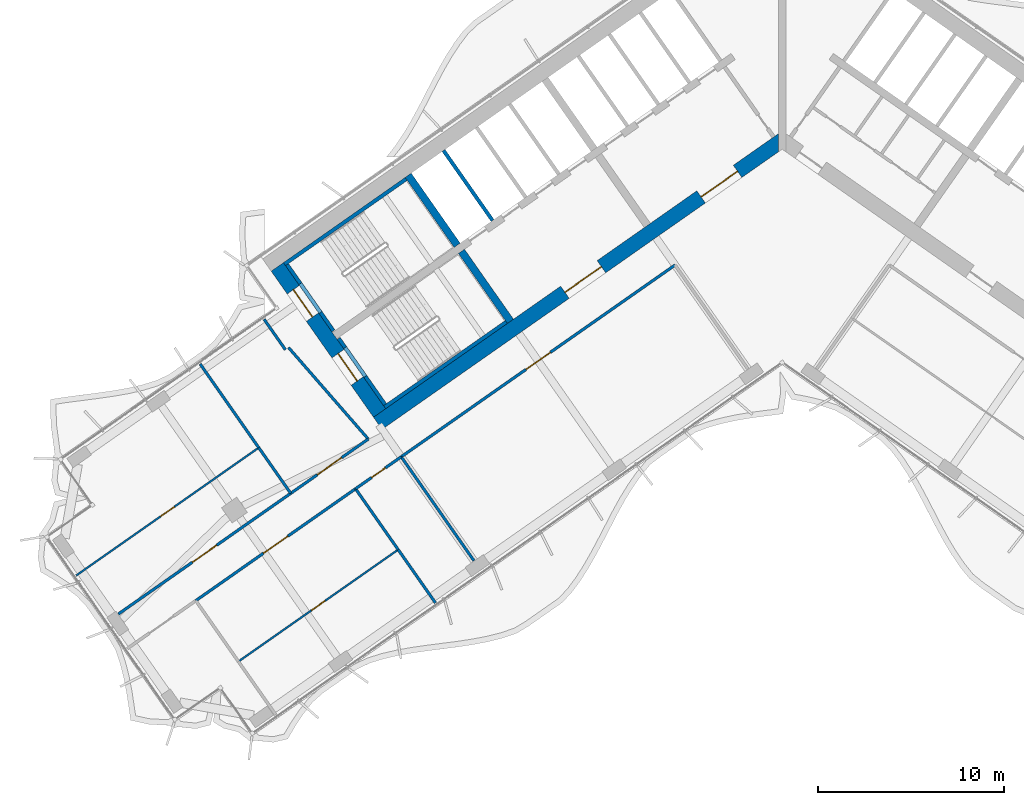
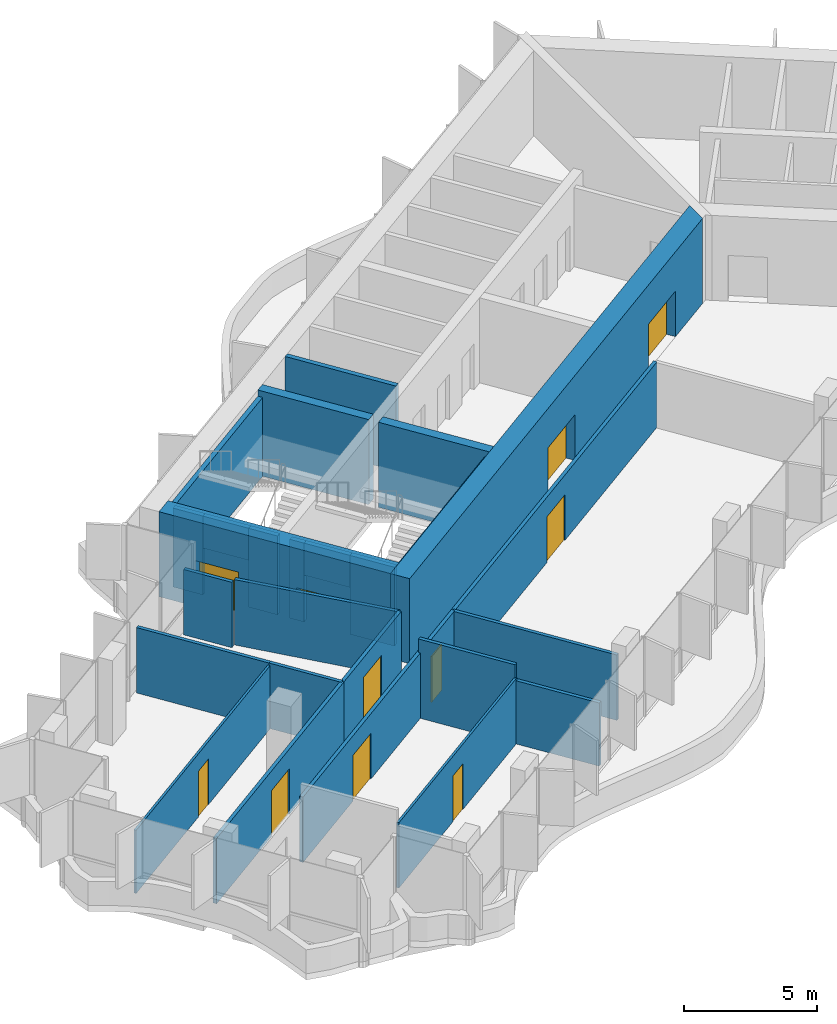
# One storey, part 12 of 22: 27 walls, 11 doors, 11 openings.
"""IFC4 building model written with IfcOpenShell, lengths in metres."""

from ifc_helpers import new_model, si_unit, direction, frame, frame_2d, origin, place, context, subcontext, project, spatial, polyline, rectangle, outline, extrude, material, layer, layer_set, type_object, element, fill, save


model = new_model("IFC4")

# Units and contexts
model_context = context("Model", 3, precision=1e-05, world=origin(), true_north=direction((0.0, 1.0)))
body_context = subcontext(model_context, "Body", "Model", "MODEL_VIEW")
ifc_project = project(units=[si_unit("LENGTHUNIT", "METRE"), si_unit("AREAUNIT", "SQUARE_METRE"), si_unit("VOLUMEUNIT", "CUBIC_METRE"), si_unit("PLANEANGLEUNIT", "RADIAN"), si_unit("MASSUNIT", "GRAM", prefix="KILO")], contexts=[model_context])

# Site, building, storey
site_placement = place(None, origin())
site = spatial("IfcSite", under=ifc_project, at=site_placement, CompositionType="ELEMENT")
building_placement = place(site_placement, origin())
building = spatial("IfcBuilding", under=site, at=building_placement, Name="Tel Ilan Convention Tower", CompositionType="ELEMENT")
storey_placement = place(building_placement, frame((0.0, 0.0, 135.89990234375)))
storey = spatial("IfcBuildingStorey", under=building, at=storey_placement, Name="L30", CompositionType="ELEMENT", Elevation=135.89990234375)

# Walls
ifc_material_1 = material(Name="Concrete C50/60", Category="concrete")
ifc_layer_1 = layer(ifc_material_1, 0.39990234375)
ifc_layer_set_1 = layer_set([ifc_layer_1], Name="Core Shear Wall 400 mm C50/60")
wall_type_1 = type_object("IfcWallType", Name="Core Shear Wall 400 mm C50/60", PredefinedType="SHEAR", material=ifc_layer_set_1)
wall_1_placement = place(storey_placement, frame((-14.6298828125, -10.48828125, 0.0), z_axis=(0.0, 0.0, 1.0), x_axis=(-0.573611936273, 0.819127185829, 0.0)))
element("IfcWall", 1, at=wall_1_placement, inside=storey, type_object=wall_type_1, Name="L30 core wall W-cross2-1", PredefinedType="SHEAR", context=body_context, shape_type="SweptSolid", body=[
    extrude(outline(polyline([(4.60009765625, 0.199951171875), (0.000244140625, 0.2001953125), (0.000244140625, -0.199951171875), (4.60009765625, -0.2001953125), (4.60009765625, 0.199951171875)])), origin(), (0.0, 0.0, 1.0), 3.900146484375),
])
wall_2_placement = place(storey_placement, frame((-17.497802734375, -6.392333984375, 0.0), z_axis=(0.0, 0.0, 1.0), x_axis=(-0.573611936273, 0.819127185829, 0.0)))
element("IfcWall", 2, at=wall_2_placement, inside=storey, type_object=wall_type_1, Name="L30 core wall W-cross2-2", PredefinedType="SHEAR", context=body_context, shape_type="SweptSolid", body=[
    extrude(outline(polyline([(4.599853515625, -0.2001953125), (4.599853515625, 0.199951171875), (0.0, 0.2001953125), (0.0, -0.199951171875), (4.599853515625, -0.2001953125)])), origin(), (0.0, 0.0, 1.0), 3.900146484375),
])

# Wall, openings, doors
ifc_material_2 = material(Name="Concrete C50/60", Category="concrete")
ifc_layer_2 = layer(ifc_material_2, 0.800048828125)
ifc_layer_set_2 = layer_set([ifc_layer_2], Name="Core Shear Wall 800 mm C50/60")
wall_type_2 = type_object("IfcWallType", Name="Core Shear Wall 800 mm C50/60", PredefinedType="SHEAR", material=ifc_layer_set_2)
wall_3_placement = place(storey_placement, frame((0.029296875, -0.7119140625, 0.0), z_axis=(0.0, 0.0, 1.0), x_axis=(-0.819151758019, -0.573576845187, 0.0)))
wall_3 = element("IfcWall", 3, at=wall_3_placement, inside=storey, type_object=wall_type_2, Name="L30 core wall W-front", PredefinedType="SHEAR", context=body_context, shape_type="SweptSolid", body=[
    extrude(outline(polyline([(26.61572265625, 0.39990234375), (0.56005859375, 0.39990234375), (-0.000244140625, -0.39990234375), (26.61572265625, -0.39990234375), (26.61572265625, 0.39990234375)])), origin(), (0.0, 0.0, 1.0), 3.900146484375),
])
opening_1_placement = place(wall_3_placement, frame((2.9658203125, 0.0, 0.0)))
opening_1 = element("IfcOpeningElement", 4, at=opening_1_placement, cuts=wall_3, Name="Opening CD2405", PredefinedType="OPENING", context=body_context, shape_type="SweptSolid", body=[
    extrude(rectangle(XDim=2.39990234375, YDim=2.10009765625, at=frame_2d((1.199951171875, 1.050048828125))), frame((0.0, 0.409912109375, 0.0), z_axis=(0.0, -1.0, 0.0), x_axis=(1.0, 0.0, 0.0)), (0.0, 0.0, 1.0), 0.820068359375),
])
opening_2_placement = place(wall_3_placement, frame((11.915771484375, 0.0, 0.0)))
opening_2 = element("IfcOpeningElement", 5, at=opening_2_placement, cuts=wall_3, Name="Opening CD2406", PredefinedType="OPENING", context=body_context, shape_type="SweptSolid", body=[
    extrude(rectangle(XDim=2.39990234375, YDim=2.10009765625, at=frame_2d((1.199951171875, 1.050048828125))), frame((0.0, 0.409912109375, 0.0), z_axis=(0.0, -1.0, 0.0), x_axis=(1.0, 0.0, 0.0)), (0.0, 0.0, 1.0), 0.820068359375),
])
ifc_material_3 = material(Name="Glazed Aluminium Door Leaf", Category="aluminium")
door_type_1 = type_object("IfcDoorType", Name="Lobby Opening Door 2400 x 2100 FD60S", OperationType="NOTDEFINED", PredefinedType="DOOR", material=ifc_material_3)
door_1_placement = place(opening_1_placement, origin())
door_1 = element("IfcDoor", 6, at=door_1_placement, inside=storey, type_object=door_type_1, Name="Lift Lobby LR1-LR4 opening", OperationType="DOUBLE_DOOR_SINGLE_SWING", OverallHeight=2.10009765625, OverallWidth=2.39990234375, PredefinedType="DOOR", context=body_context, shape_type="SweptSolid", body=[
    extrude(rectangle(XDim=2.39990234375, YDim=2.10009765625, at=frame_2d((1.199951171875, 1.050048828125))), frame((0.0, 0.02490234375, 0.0), z_axis=(0.0, -1.0, 0.0), x_axis=(1.0, 0.0, 0.0)), (0.0, 0.0, 1.0), 0.050048828125),
])
fill(opening_1, door_1)
door_2_placement = place(opening_2_placement, origin())
door_2 = element("IfcDoor", 7, at=door_2_placement, inside=storey, type_object=door_type_1, Name="Lift Lobby LR5-LR8 opening", OperationType="DOUBLE_DOOR_SINGLE_SWING", OverallHeight=2.10009765625, OverallWidth=2.39990234375, PredefinedType="DOOR", context=body_context, shape_type="SweptSolid", body=[
    extrude(rectangle(XDim=2.39990234375, YDim=2.10009765625, at=frame_2d((1.199951171875, 1.050048828125))), frame((0.0, 0.02490234375, 0.0), z_axis=(0.0, -1.0, 0.0), x_axis=(1.0, 0.0, 0.0)), (0.0, 0.0, 1.0), 0.050048828125),
])
fill(opening_2, door_2)

wall_4_placement = place(storey_placement, frame((-21.6748046875, -15.4208984375, 0.0), z_axis=(0.0, 0.0, 1.0), x_axis=(-0.573581815061, 0.819148278049, 0.0)))
wall_4 = element("IfcWall", 8, at=wall_4_placement, inside=storey, type_object=wall_type_2, Name="L30 core wall W-end", PredefinedType="SHEAR", context=body_context, shape_type="SweptSolid", body=[
    extrude(outline(polyline([(0.0, 0.39990234375), (0.0, -0.39990234375), (9.599853515625, -0.400146484375), (9.599853515625, 0.39990234375), (0.0, 0.39990234375)])), origin(), (0.0, 0.0, 1.0), 3.900146484375),
])
opening_3_placement = place(wall_4_placement, frame((6.300048828125, 0.0, 0.0)))
opening_3 = element("IfcOpeningElement", 9, at=opening_3_placement, cuts=wall_4, Name="Opening SD2401", PredefinedType="OPENING", context=body_context, shape_type="SweptSolid", body=[
    extrude(rectangle(XDim=1.800048828125, YDim=2.10009765625, at=frame_2d((0.89990234375, 1.050048828125))), frame((0.0, 0.409912109375, 0.0), z_axis=(0.0, -1.0, 0.0), x_axis=(1.0, 0.0, 0.0)), (0.0, 0.0, 1.0), 0.820068359375),
])
opening_4_placement = place(wall_4_placement, frame((2.10009765625, 0.0, 0.0)))
opening_4 = element("IfcOpeningElement", 10, at=opening_4_placement, cuts=wall_4, Name="Opening SD2402", PredefinedType="OPENING", context=body_context, shape_type="SweptSolid", body=[
    extrude(rectangle(XDim=1.800048828125, YDim=2.10009765625, at=frame_2d((0.89990234375, 1.050048828125))), frame((0.0, 0.409912109375, 0.0), z_axis=(0.0, -1.0, 0.0), x_axis=(1.0, 0.0, 0.0)), (0.0, 0.0, 1.0), 0.820068359375),
])
ifc_material_4 = material(Name="Galvanised Steel Door Leaf", Category="steel")
door_type_2 = type_object("IfcDoorType", Name="Stair Fire Door 1800 x 2100 FD60S", OperationType="NOTDEFINED", PredefinedType="DOOR", material=ifc_material_4)
door_3_placement = place(opening_3_placement, origin())
door_3 = element("IfcDoor", 11, at=door_3_placement, inside=storey, type_object=door_type_2, Name="Stair S1 door", OperationType="DOUBLE_DOOR_SINGLE_SWING", OverallHeight=2.10009765625, OverallWidth=1.800048828125, PredefinedType="DOOR", context=body_context, shape_type="SweptSolid", body=[
    extrude(rectangle(XDim=1.800048828125, YDim=2.10009765625, at=frame_2d((0.89990234375, 1.050048828125))), frame((0.0, 0.02490234375, 0.0), z_axis=(0.0, -1.0, 0.0), x_axis=(1.0, 0.0, 0.0)), (0.0, 0.0, 1.0), 0.050048828125),
])
fill(opening_3, door_3)
door_4_placement = place(opening_4_placement, origin())
door_4 = element("IfcDoor", 12, at=door_4_placement, inside=storey, type_object=door_type_2, Name="Stair S2 door", OperationType="DOUBLE_DOOR_SINGLE_SWING", OverallHeight=2.10009765625, OverallWidth=1.800048828125, PredefinedType="DOOR", context=body_context, shape_type="SweptSolid", body=[
    extrude(rectangle(XDim=1.800048828125, YDim=2.10009765625, at=frame_2d((0.89990234375, 1.050048828125))), frame((0.0, 0.02490234375, 0.0), z_axis=(0.0, -1.0, 0.0), x_axis=(1.0, 0.0, 0.0)), (0.0, 0.0, 1.0), 0.050048828125),
])
fill(opening_4, door_4)

# Wall, opening, door
ifc_material_5 = material(Name="Plasterboard on Steel Studs", Category="steel")
ifc_layer_3 = layer(ifc_material_5, 0.14990234375)
ifc_layer_set_3 = layer_set([ifc_layer_3], Name="Fire-rated Partition 150 EI 60")
wall_type_3 = type_object("IfcWallType", Name="Fire-rated Partition 150 EI 60", PredefinedType="PARTITIONING", material=ifc_layer_set_3)
wall_5_placement = place(storey_placement, frame((-26.459716796875, -19.748779296875, 0.0), z_axis=(0.0, 0.0, 1.0), x_axis=(0.819155431493, 0.573571598892, 0.0)))
wall_5 = element("IfcWall", 13, at=wall_5_placement, inside=storey, type_object=wall_type_3, Name="Partition 004", PredefinedType="PARTITIONING", context=body_context, shape_type="SweptSolid", body=[
    extrude(rectangle(XDim=5.098876953125, YDim=0.14990234375, at=frame_2d((2.54931640625, 0.0))), origin(), (0.0, 0.0, 1.0), 3.0),
])
opening_5_placement = place(wall_5_placement, frame((1.74951171875, 0.0, 0.0)))
opening_5 = element("IfcOpeningElement", 14, at=opening_5_placement, cuts=wall_5, Name="Opening L30-006", PredefinedType="OPENING", context=body_context, shape_type="SweptSolid", body=[
    extrude(rectangle(XDim=1.60009765625, YDim=2.10009765625, at=frame_2d((0.800048828125, 1.050048828125))), frame((0.0, 0.0849609375, 0.0), z_axis=(0.0, -1.0, 0.0), x_axis=(1.0, 0.0, 0.0)), (0.0, 0.0, 1.0), 0.169921875),
])
ifc_material_6 = material(Name="Timber Door Leaf in Steel Frame", Category="steel")
door_type_3 = type_object("IfcDoorType", Name="Tenant Suite Entrance Fire Door 1600x2100", OperationType="NOTDEFINED", PredefinedType="DOOR", material=ifc_material_6)
door_5_placement = place(opening_5_placement, origin())
door_5 = element("IfcDoor", 15, at=door_5_placement, inside=storey, type_object=door_type_3, Name="Door L30-006", OperationType="DOUBLE_DOOR_SINGLE_SWING", OverallHeight=2.10009765625, OverallWidth=1.60009765625, PredefinedType="DOOR", context=body_context, shape_type="SweptSolid", body=[
    extrude(rectangle(XDim=1.60009765625, YDim=2.10009765625, at=frame_2d((0.800048828125, 1.050048828125))), frame((0.0, 0.02490234375, 0.0), z_axis=(0.0, -1.0, 0.0), x_axis=(1.0, 0.0, 0.0)), (0.0, 0.0, 1.0), 0.050048828125),
])
fill(opening_5, door_5)

wall_6_placement = place(storey_placement, frame((-35.739013671875, -26.24658203125, 0.0), z_axis=(0.0, 0.0, 1.0), x_axis=(0.819137779465, 0.573596808092, 0.0)))
wall_6 = element("IfcWall", 16, at=wall_6_placement, inside=storey, type_object=wall_type_3, Name="Partition 005", PredefinedType="PARTITIONING", context=body_context, shape_type="SweptSolid", body=[
    extrude(rectangle(XDim=11.33203125, YDim=0.14990234375, at=frame_2d((5.666015625, 0.0))), origin(), (0.0, 0.0, 1.0), 3.0),
])
opening_6_placement = place(wall_6_placement, frame((4.865966796875, 0.0, 0.0)))
opening_6 = element("IfcOpeningElement", 17, at=opening_6_placement, cuts=wall_6, Name="Opening L30-007", PredefinedType="OPENING", context=body_context, shape_type="SweptSolid", body=[
    extrude(rectangle(XDim=1.60009765625, YDim=2.10009765625, at=frame_2d((0.800048828125, 1.050048828125))), frame((0.0, 0.0849609375, 0.0), z_axis=(0.0, -1.0, 0.0), x_axis=(1.0, 0.0, 0.0)), (0.0, 0.0, 1.0), 0.169921875),
])
door_6_placement = place(opening_6_placement, origin())
door_6 = element("IfcDoor", 18, at=door_6_placement, inside=storey, type_object=door_type_3, Name="Door L30-007", OperationType="DOUBLE_DOOR_SINGLE_SWING", OverallHeight=2.10009765625, OverallWidth=1.60009765625, PredefinedType="DOOR", context=body_context, shape_type="SweptSolid", body=[
    extrude(rectangle(XDim=1.60009765625, YDim=2.10009765625, at=frame_2d((0.800048828125, 1.050048828125))), frame((0.0, 0.02490234375, 0.0), z_axis=(0.0, -1.0, 0.0), x_axis=(1.0, 0.0, 0.0)), (0.0, 0.0, 1.0), 0.050048828125),
])
fill(opening_6, door_6)

wall_7_placement = place(storey_placement, frame((-5.766357421875, -7.455810546875, 0.0), z_axis=(0.0, 0.0, 1.0), x_axis=(-0.819153544995, -0.573574293115, 0.0)))
wall_7 = element("IfcWall", 19, at=wall_7_placement, inside=storey, type_object=wall_type_3, Name="Partition 006", PredefinedType="PARTITIONING", context=body_context, shape_type="SweptSolid", body=[
    extrude(rectangle(XDim=18.001953125, YDim=0.14990234375, at=frame_2d((9.0009765625, 0.0))), origin(), (0.0, 0.0, 1.0), 3.0),
])
opening_7_placement = place(wall_7_placement, frame((8.200927734375, 0.0, 0.0)))
opening_7 = element("IfcOpeningElement", 20, at=opening_7_placement, cuts=wall_7, Name="Opening L30-001", PredefinedType="OPENING", context=body_context, shape_type="SweptSolid", body=[
    extrude(rectangle(XDim=1.60009765625, YDim=2.10009765625, at=frame_2d((0.800048828125, 1.050048828125))), frame((0.0, 0.0849609375, 0.0), z_axis=(0.0, -1.0, 0.0), x_axis=(1.0, 0.0, 0.0)), (0.0, 0.0, 1.0), 0.169921875),
])
door_7_placement = place(opening_7_placement, origin())
door_7 = element("IfcDoor", 21, at=door_7_placement, inside=storey, type_object=door_type_3, Name="Door L30-001", OperationType="DOUBLE_DOOR_SINGLE_SWING", OverallHeight=2.10009765625, OverallWidth=1.60009765625, PredefinedType="DOOR", context=body_context, shape_type="SweptSolid", body=[
    extrude(rectangle(XDim=1.60009765625, YDim=2.10009765625, at=frame_2d((0.800048828125, 1.050048828125))), frame((0.0, 0.02490234375, 0.0), z_axis=(0.0, -1.0, 0.0), x_axis=(1.0, 0.0, 0.0)), (0.0, 0.0, 1.0), 0.050048828125),
])
fill(opening_7, door_7)

wall_8_placement = place(storey_placement, frame((-20.509521484375, -17.779052734375, 0.0), z_axis=(0.0, 0.0, 1.0), x_axis=(-0.819128818764, -0.573609604409, 0.0)))
wall_8 = element("IfcWall", 22, at=wall_8_placement, inside=storey, type_object=wall_type_3, Name="Partition 007", PredefinedType="PARTITIONING", context=body_context, shape_type="SweptSolid", body=[
    extrude(rectangle(XDim=3.004150390625, YDim=0.14990234375, at=frame_2d((1.501953125, 0.0))), origin(), (0.0, 0.0, 1.0), 3.0),
])
opening_8_placement = place(wall_8_placement, frame((1.052001953125, 0.0, 0.0)))
opening_8 = element("IfcOpeningElement", 23, at=opening_8_placement, cuts=wall_8, Name="Opening L30-002", PredefinedType="OPENING", context=body_context, shape_type="SweptSolid", body=[
    extrude(rectangle(XDim=0.89990234375, YDim=2.10009765625, at=frame_2d((0.449951171875, 1.050048828125))), frame((0.0, 0.0849609375, 0.0), z_axis=(0.0, -1.0, 0.0), x_axis=(1.0, 0.0, 0.0)), (0.0, 0.0, 1.0), 0.169921875),
])
ifc_material_7 = material(Name="Timber Door Leaf in Steel Frame", Category="steel")
door_type_4 = type_object("IfcDoorType", Name="Room Fire Door 900x2100", OperationType="NOTDEFINED", PredefinedType="DOOR", material=ifc_material_7)
door_8_placement = place(opening_8_placement, origin())
door_8 = element("IfcDoor", 24, at=door_8_placement, inside=storey, type_object=door_type_4, Name="Door L30-002", OperationType="SINGLE_SWING_LEFT", OverallHeight=2.10009765625, OverallWidth=0.89990234375, PredefinedType="DOOR", context=body_context, shape_type="SweptSolid", body=[
    extrude(rectangle(XDim=0.89990234375, YDim=2.10009765625, at=frame_2d((0.449951171875, 1.050048828125))), frame((0.0, 0.02490234375, 0.0), z_axis=(0.0, -1.0, 0.0), x_axis=(1.0, 0.0, 0.0)), (0.0, 0.0, 1.0), 0.050048828125),
])
fill(opening_8, door_8)

wall_9_placement = place(storey_placement, frame((-22.966796875, -19.499755859375, 0.0), z_axis=(0.0, 0.0, 1.0), x_axis=(-0.81915329441, -0.573574650989, 0.0)))
wall_9 = element("IfcWall", 25, at=wall_9_placement, inside=storey, type_object=wall_type_3, Name="Partition 008", PredefinedType="PARTITIONING", context=body_context, shape_type="SweptSolid", body=[
    extrude(rectangle(XDim=10.504150390625, YDim=0.14990234375, at=frame_2d((5.251953125, 0.0))), origin(), (0.0, 0.0, 1.0), 3.0),
])
opening_9_placement = place(wall_9_placement, frame((4.451904296875, 0.0, 0.0)))
opening_9 = element("IfcOpeningElement", 26, at=opening_9_placement, cuts=wall_9, Name="Opening L30-003", PredefinedType="OPENING", context=body_context, shape_type="SweptSolid", body=[
    extrude(rectangle(XDim=1.60009765625, YDim=2.10009765625, at=frame_2d((0.800048828125, 1.050048828125))), frame((0.0, 0.0849609375, 0.0), z_axis=(0.0, -1.0, 0.0), x_axis=(1.0, 0.0, 0.0)), (0.0, 0.0, 1.0), 0.169921875),
])
door_9_placement = place(opening_9_placement, origin())
door_9 = element("IfcDoor", 27, at=door_9_placement, inside=storey, type_object=door_type_3, Name="Door L30-003", OperationType="DOUBLE_DOOR_SINGLE_SWING", OverallHeight=2.10009765625, OverallWidth=1.60009765625, PredefinedType="DOOR", context=body_context, shape_type="SweptSolid", body=[
    extrude(rectangle(XDim=1.60009765625, YDim=2.10009765625, at=frame_2d((0.800048828125, 1.050048828125))), frame((0.0, 0.02490234375, 0.0), z_axis=(0.0, -1.0, 0.0), x_axis=(1.0, 0.0, 0.0)), (0.0, 0.0, 1.0), 0.050048828125),
])
fill(opening_9, door_9)

# Walls
wall_10_placement = place(storey_placement, frame((-26.74609375, -12.013671875, 0.0), z_axis=(0.0, 0.0, 1.0), x_axis=(-0.573568836472, 0.819157365729, 0.0)))
element("IfcWall", 28, at=wall_10_placement, inside=storey, type_object=wall_type_3, Name="Partition 030", PredefinedType="PARTITIONING", context=body_context, shape_type="SweptSolid", body=[
    extrude(rectangle(XDim=2.000244140625, YDim=0.14990234375, at=frame_2d((1.0, 0.0))), origin(), (0.0, 0.0, 1.0), 3.0),
])
wall_11_placement = place(storey_placement, frame((-22.28369140625, -16.826416015625, 0.0), z_axis=(0.0, 0.0, 1.0), x_axis=(-0.656758142177, 0.754101281449, 0.0)))
element("IfcWall", 29, at=wall_11_placement, inside=storey, type_object=wall_type_3, Name="Partition 031", PredefinedType="PARTITIONING", context=body_context, shape_type="SweptSolid", body=[
    extrude(rectangle(XDim=6.53857421875, YDim=0.14990234375, at=frame_2d((3.269287109375, 0.0))), origin(), (0.0, 0.0, 1.0), 3.0),
])
wall_12_placement = place(storey_placement, frame((-28.1787109375, -17.29052734375, 0.0), z_axis=(0.0, 0.0, 1.0), x_axis=(-0.573554680091, 0.819167277756, 0.0)))
element("IfcWall", 30, at=wall_12_placement, inside=storey, type_object=wall_type_3, Name="Partition 032", PredefinedType="PARTITIONING", context=body_context, shape_type="SweptSolid", body=[
    extrude(rectangle(XDim=5.500732421875, YDim=0.14990234375, at=frame_2d((2.75048828125, 0.0))), origin(), (0.0, 0.0, 1.0), 3.0),
])
wall_13_placement = place(storey_placement, frame((-26.45849609375, -19.747314453125, 0.0), z_axis=(0.0, 0.0, 1.0), x_axis=(-0.57356603932, 0.81915932427, 0.0)))
element("IfcWall", 31, at=wall_13_placement, inside=storey, type_object=wall_type_3, Name="Partition 033", PredefinedType="PARTITIONING", context=body_context, shape_type="SweptSolid", body=[
    extrude(rectangle(XDim=3.002197265625, YDim=0.14990234375, at=frame_2d((1.5009765625, 0.0))), origin(), (0.0, 0.0, 1.0), 3.0),
])
wall_14_placement = place(storey_placement, frame((-16.593505859375, -23.375, 0.0), z_axis=(0.0, 0.0, 1.0), x_axis=(-0.573577493031, 0.819151304393, 0.0)))
element("IfcWall", 32, at=wall_14_placement, inside=storey, type_object=wall_type_3, Name="Partition 035", PredefinedType="PARTITIONING", context=body_context, shape_type="SweptSolid", body=[
    extrude(rectangle(XDim=6.829833984375, YDim=0.14990234375, at=frame_2d((3.4150390625, 0.0))), origin(), (0.0, 0.0, 1.0), 3.0),
])
wall_15_placement = place(storey_placement, frame((-18.666748046875, -25.64453125, 0.0), z_axis=(0.0, 0.0, 1.0), x_axis=(-0.573560622794, 0.819163116834, 0.0)))
element("IfcWall", 33, at=wall_15_placement, inside=storey, type_object=wall_type_3, Name="Partition 036", PredefinedType="PARTITIONING", context=body_context, shape_type="SweptSolid", body=[
    extrude(rectangle(XDim=3.5009765625, YDim=0.14990234375, at=frame_2d((1.75048828125, 0.0))), origin(), (0.0, 0.0, 1.0), 2.900146484375),
])
wall_16_placement = place(storey_placement, frame((-20.673095703125, -22.779296875, 0.0), z_axis=(0.0, 0.0, 1.0), x_axis=(-0.573560601885, 0.819163131473, 0.0)))
element("IfcWall", 34, at=wall_16_placement, inside=storey, type_object=wall_type_3, Name="Partition 037", PredefinedType="PARTITIONING", context=body_context, shape_type="SweptSolid", body=[
    extrude(rectangle(XDim=4.001953125, YDim=0.14990234375, at=frame_2d((2.0009765625, 0.0))), origin(), (0.0, 0.0, 1.0), 3.6201171875),
])
ifc_material_8 = material(Name="Concrete C30/37", Category="concrete")
ifc_layer_4 = layer(ifc_material_8, 0.199951171875)
ifc_layer_set_4 = layer_set([ifc_layer_4], Name="Lift Shaft Wall 200 mm C30/37")
wall_type_4 = type_object("IfcWallType", Name="Lift Shaft Wall 200 mm C30/37", PredefinedType="SOLIDWALL", material=ifc_layer_set_4)
wall_17_placement = place(storey_placement, frame((-15.593505859375, -5.058837890625, 0.0), z_axis=(0.0, 0.0, 1.0), x_axis=(-0.573540709186, 0.819177059558, 0.0)))
element("IfcWall", 35, at=wall_17_placement, inside=storey, type_object=wall_type_4, Name="L30 core wall bank-W2-p2", PredefinedType="SOLIDWALL", context=body_context, shape_type="SweptSolid", body=[
    extrude(rectangle(XDim=4.599853515625, YDim=0.199951171875, at=frame_2d((2.2998046875, 0.0))), origin(), (0.0, 0.0, 1.0), 3.900146484375),
])

# Wall, opening, door
ifc_material_9 = material(Name="Plasterboard on Steel Studs", Category="steel")
ifc_layer_5 = layer(ifc_material_9, 0.10009765625)
ifc_layer_set_5 = layer_set([ifc_layer_5], Name="Plasterboard Partition 100")
wall_type_5 = type_object("IfcWallType", Name="Plasterboard Partition 100", PredefinedType="PARTITIONING", material=ifc_layer_set_5)
wall_18_placement = place(storey_placement, frame((-38.009521484375, -24.171875, 0.0), z_axis=(0.0, 0.0, 1.0), x_axis=(0.819146845232, 0.573583861302, 0.0)))
wall_18 = element("IfcWall", 36, at=wall_18_placement, inside=storey, type_object=wall_type_5, Name="Partition 034", PredefinedType="PARTITIONING", context=body_context, shape_type="SweptSolid", body=[
    extrude(rectangle(XDim=12.0, YDim=0.10009765625, at=frame_2d((6.0, 0.0))), origin(), (0.0, 0.0, 1.0), 2.900146484375),
])
opening_10_placement = place(wall_18_placement, frame((5.550048828125, 0.0, 0.0)))
opening_10 = element("IfcOpeningElement", 37, at=opening_10_placement, cuts=wall_18, Name="Opening L30-008", PredefinedType="OPENING", context=body_context, shape_type="SweptSolid", body=[
    extrude(rectangle(XDim=0.89990234375, YDim=2.10009765625, at=frame_2d((0.449951171875, 1.050048828125))), frame((0.0, 0.06005859375, 0.0), z_axis=(0.0, -1.0, 0.0), x_axis=(1.0, 0.0, 0.0)), (0.0, 0.0, 1.0), 0.1201171875),
])
ifc_material_10 = material(Name="Timber Door Leaf in Steel Frame", Category="steel")
door_type_5 = type_object("IfcDoorType", Name="Room Timber Door 900x2100", OperationType="NOTDEFINED", PredefinedType="DOOR", material=ifc_material_10)
door_10_placement = place(opening_10_placement, origin())
door_10 = element("IfcDoor", 38, at=door_10_placement, inside=storey, type_object=door_type_5, Name="Door L30-008", OperationType="SINGLE_SWING_RIGHT", OverallHeight=2.10009765625, OverallWidth=0.89990234375, PredefinedType="DOOR", context=body_context, shape_type="SweptSolid", body=[
    extrude(rectangle(XDim=0.89990234375, YDim=2.10009765625, at=frame_2d((0.449951171875, 1.050048828125))), frame((0.0, 0.02490234375, 0.0), z_axis=(0.0, -1.0, 0.0), x_axis=(1.0, 0.0, 0.0)), (0.0, 0.0, 1.0), 0.050048828125),
])
fill(opening_10, door_10)

wall_19_placement = place(storey_placement, frame((-20.673583984375, -22.7783203125, 0.0), z_axis=(0.0, 0.0, 1.0), x_axis=(-0.819163097304, -0.573560650686, 0.0)))
wall_19 = element("IfcWall", 39, at=wall_19_placement, inside=storey, type_object=wall_type_5, Name="Partition 038", PredefinedType="PARTITIONING", context=body_context, shape_type="SweptSolid", body=[
    extrude(rectangle(XDim=10.500244140625, YDim=0.10009765625, at=frame_2d((5.25, 0.0))), origin(), (0.0, 0.0, 1.0), 3.0),
])
opening_11_placement = place(wall_19_placement, frame((4.800048828125, 0.0, 0.0)))
opening_11 = element("IfcOpeningElement", 40, at=opening_11_placement, cuts=wall_19, Name="Opening L30-004", PredefinedType="OPENING", context=body_context, shape_type="SweptSolid", body=[
    extrude(rectangle(XDim=0.89990234375, YDim=2.10009765625, at=frame_2d((0.449951171875, 1.050048828125))), frame((0.0, 0.06005859375, 0.0), z_axis=(0.0, -1.0, 0.0), x_axis=(1.0, 0.0, 0.0)), (0.0, 0.0, 1.0), 0.1201171875),
])
door_11_placement = place(opening_11_placement, origin())
door_11 = element("IfcDoor", 41, at=door_11_placement, inside=storey, type_object=door_type_5, Name="Door L30-004", OperationType="SINGLE_SWING_LEFT", OverallHeight=2.10009765625, OverallWidth=0.89990234375, PredefinedType="DOOR", context=body_context, shape_type="SweptSolid", body=[
    extrude(rectangle(XDim=0.89990234375, YDim=2.10009765625, at=frame_2d((0.449951171875, 1.050048828125))), frame((0.0, 0.02490234375, 0.0), z_axis=(0.0, -1.0, 0.0), x_axis=(1.0, 0.0, 0.0)), (0.0, 0.0, 1.0), 0.050048828125),
])
fill(opening_11, door_11)

# Walls
ifc_material_11 = material(Name="Concrete C30/37", Category="concrete")
ifc_layer_6 = layer(ifc_material_11, 0.199951171875)
ifc_layer_set_6 = layer_set([ifc_layer_6], Name="Stair and Shaft Lining Wall 200 mm C30/37")
wall_type_6 = type_object("IfcWallType", Name="Stair and Shaft Lining Wall 200 mm C30/37", PredefinedType="SOLIDWALL", material=ifc_layer_set_6)
wall_20_placement = place(storey_placement, frame((-20.242919921875, -2.821044921875, 0.0), z_axis=(0.0, 0.0, 1.0), x_axis=(-0.819141584393, -0.57359137434, 0.0)))
element("IfcWall", 42, at=wall_20_placement, inside=storey, type_object=wall_type_6, Name="L30 core wall lining-S1-t1", PredefinedType="SOLIDWALL", context=body_context, shape_type="SweptSolid", body=[
    extrude(rectangle(XDim=7.999755859375, YDim=0.199951171875, at=frame_2d((4.0, 0.0))), origin(), (0.0, 0.0, 1.0), 3.6201171875),
])
wall_21_placement = place(storey_placement, frame((-24.16162109375, -10.99755859375, 0.0), z_axis=(0.0, 0.0, 1.0), x_axis=(-0.573612502218, 0.819126789514, 0.0)))
element("IfcWall", 43, at=wall_21_placement, inside=storey, type_object=wall_type_6, Name="L30 core wall lining-S1-u1-0", PredefinedType="SOLIDWALL", context=body_context, shape_type="SweptSolid", body=[
    extrude(rectangle(XDim=1.2001953125, YDim=0.199951171875, at=frame_2d((0.60009765625, 0.0))), origin(), (0.0, 0.0, 1.0), 3.6201171875),
])
wall_22_placement = place(storey_placement, frame((-25.939697265625, -8.4580078125, 0.0), z_axis=(0.0, 0.0, 1.0), x_axis=(-0.573619628835, 0.819121798889, 0.0)))
element("IfcWall", 44, at=wall_22_placement, inside=storey, type_object=wall_type_6, Name="L30 core wall lining-S1-u1-1", PredefinedType="SOLIDWALL", context=body_context, shape_type="SweptSolid", body=[
    extrude(rectangle(XDim=1.25, YDim=0.199951171875, at=frame_2d((0.625, 0.0))), origin(), (0.0, 0.0, 1.0), 3.6201171875),
])
wall_23_placement = place(storey_placement, frame((-24.85009765625, -10.014404296875, 2.150146484375), z_axis=(0.0, 0.0, 1.0), x_axis=(-0.573505465124, 0.819201734296, 0.0)))
element("IfcWall", 45, at=wall_23_placement, inside=storey, type_object=wall_type_6, Name="L30 core wall lining-S1-u1-lintel", PredefinedType="SOLIDWALL", context=body_context, shape_type="SweptSolid", body=[
    extrude(rectangle(XDim=1.89990234375, YDim=0.199951171875, at=frame_2d((0.949951171875, 0.0))), origin(), (0.0, 0.0, 1.0), 1.469970703125),
])
wall_24_placement = place(storey_placement, frame((-14.851318359375, -10.52099609375, 0.0), z_axis=(0.0, 0.0, 1.0), x_axis=(-0.819141584393, -0.57359137434, 0.0)))
element("IfcWall", 46, at=wall_24_placement, inside=storey, type_object=wall_type_6, Name="L30 core wall lining-S2-t0", PredefinedType="SOLIDWALL", context=body_context, shape_type="SweptSolid", body=[
    extrude(rectangle(XDim=7.999755859375, YDim=0.199951171875, at=frame_2d((4.0, 0.0))), origin(), (0.0, 0.0, 1.0), 3.6201171875),
])
wall_25_placement = place(storey_placement, frame((-21.3798828125, -14.97021484375, 0.0), z_axis=(0.0, 0.0, 1.0), x_axis=(-0.573559770908, 0.819163713305, 0.0)))
element("IfcWall", 47, at=wall_25_placement, inside=storey, type_object=wall_type_6, Name="L30 core wall lining-S2-u1-0", PredefinedType="SOLIDWALL", context=body_context, shape_type="SweptSolid", body=[
    extrude(rectangle(XDim=1.849853515625, YDim=0.199951171875, at=frame_2d((0.9248046875, 0.0))), origin(), (0.0, 0.0, 1.0), 3.6201171875),
])
wall_26_placement = place(storey_placement, frame((-23.53076171875, -11.8984375, 0.0), z_axis=(0.0, 0.0, 1.0), x_axis=(-0.573708088123, 0.819059844958, 0.0)))
element("IfcWall", 48, at=wall_26_placement, inside=storey, type_object=wall_type_6, Name="L30 core wall lining-S2-u1-1", PredefinedType="SOLIDWALL", context=body_context, shape_type="SweptSolid", body=[
    extrude(rectangle(XDim=0.60009765625, YDim=0.199951171875, at=frame_2d((0.300048828125, 0.0))), origin(), (0.0, 0.0, 1.0), 3.6201171875),
])
wall_27_placement = place(storey_placement, frame((-22.44091796875, -13.454833984375, 2.150146484375), z_axis=(0.0, 0.0, 1.0), x_axis=(-0.573591692345, 0.819141361715, 0.0)))
element("IfcWall", 49, at=wall_27_placement, inside=storey, type_object=wall_type_6, Name="L30 core wall lining-S2-u1-lintel", PredefinedType="SOLIDWALL", context=body_context, shape_type="SweptSolid", body=[
    extrude(rectangle(XDim=1.900146484375, YDim=0.199951171875, at=frame_2d((0.9501953125, 0.0))), origin(), (0.0, 0.0, 1.0), 1.469970703125),
])

save(model, "model.ifc")
